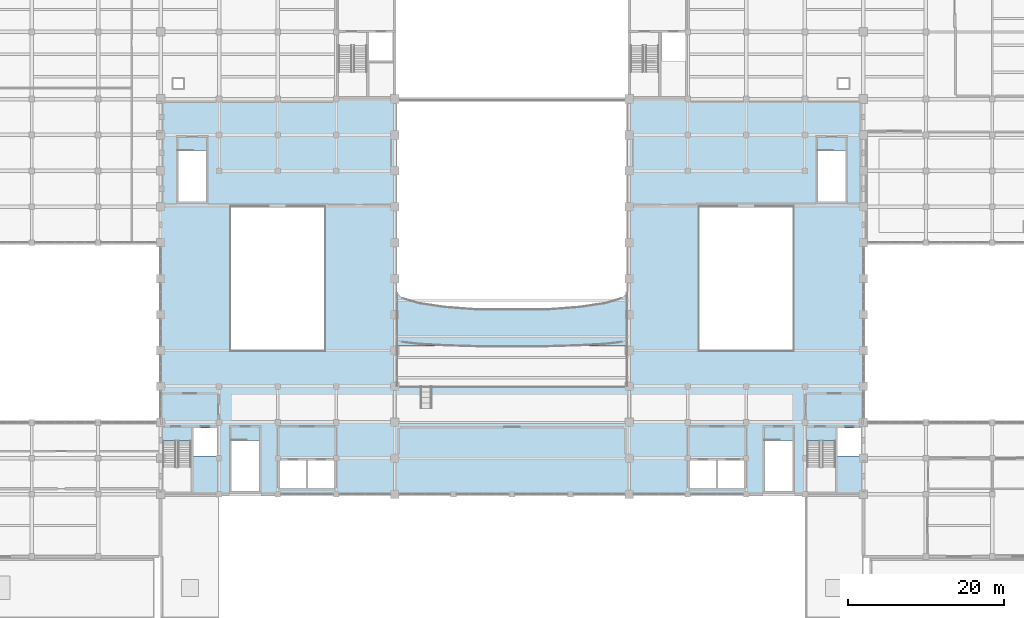
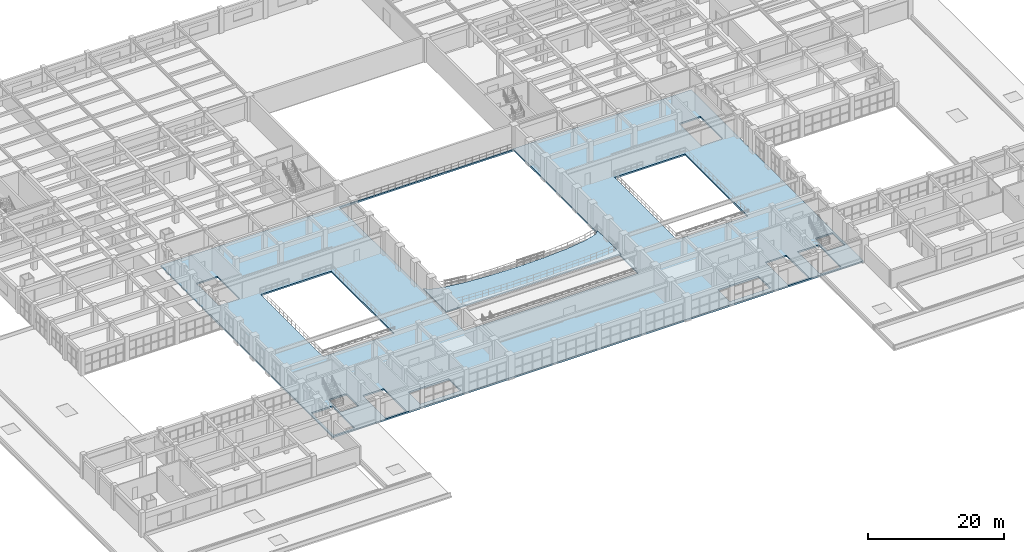
# One storey, part 57 of 90: 2 slabs.
"""IFC4 building model written with IfcOpenShell, lengths in metres."""

from ifc_helpers import new_model, si_unit, direction, frame, origin, place, context, subcontext, project, spatial, polyline, outline, extrude, material, layer, layer_set, type_object, element, save


model = new_model("IFC4")

# Units and contexts
model_context = context("Model", 3, precision=1e-05, world=origin(), true_north=direction((0.0, 1.0)))
body_context = subcontext(model_context, "Body", "Model", "MODEL_VIEW")
ifc_project = project(units=[si_unit("LENGTHUNIT", "METRE"), si_unit("AREAUNIT", "SQUARE_METRE"), si_unit("VOLUMEUNIT", "CUBIC_METRE"), si_unit("PLANEANGLEUNIT", "RADIAN"), si_unit("MASSUNIT", "GRAM", prefix="KILO")], contexts=[model_context])

# Site, building, storey
site_placement = place(None, origin())
site = spatial("IfcSite", under=ifc_project, at=site_placement, CompositionType="ELEMENT")
building_placement = place(site_placement, origin())
building = spatial("IfcBuilding", under=site, at=building_placement, Name="Muzn Square Opera House", CompositionType="ELEMENT")
storey_placement = place(building_placement, frame((0.0, 0.0, 9.800048828125)))
storey = spatial("IfcBuildingStorey", under=building, at=storey_placement, Name="L02", CompositionType="ELEMENT", Elevation=9.800048828125)

# Slabs
ifc_material = material(Name="Concrete C40/50", Category="concrete")
ifc_layer_1 = layer(ifc_material, 0.199951171875, Name="Concrete C40/50", Category="concrete")
ifc_layer_set_1 = layer_set([ifc_layer_1], Name="Concrete C40/50")
slab_type_1 = type_object("IfcSlabType", Name="Auditorium Seating Tier 200mm", PredefinedType="USERDEFINED", material=ifc_layer_set_1)
slab_1_placement = place(storey_placement, frame((0.0, 0.0, 0.159912109375)))
element("IfcSlab", 1, at=slab_1_placement, inside=storey, type_object=slab_type_1, Name="Opera Hall Upper Circle Seating Tier 2", ObjectType="SEATING TIER", PredefinedType="USERDEFINED", context=body_context, shape_type="SweptSolid", body=[
    extrude(outline(polyline([(73.2099609375, 40.949951171875), (102.7900390625, 40.949951171875), (102.7900390625, 47.800048828125), (102.066162109375, 47.1201171875), (99.96533203125, 46.5068359375), (96.693359375, 46.020263671875), (92.5703125, 45.707763671875), (88.0, 45.60009765625), (83.4296875, 45.707763671875), (79.306640625, 46.020263671875), (76.03466796875, 46.5068359375), (73.933837890625, 47.1201171875), (73.2099609375, 47.800048828125), (73.2099609375, 40.949951171875)])), origin(), (0.0, 0.0, 1.0), 0.199951171875),
])
ifc_layer_2 = layer(ifc_material, 0.280029296875, Name="Concrete C40/50", Category="concrete")
ifc_layer_set_2 = layer_set([ifc_layer_2], Name="Concrete C40/50")
slab_type_2 = type_object("IfcSlabType", Name="Floor Slab 280mm", PredefinedType="FLOOR", material=ifc_layer_set_2)
slab_2_placement = place(storey_placement, frame((0.0, 0.0, -0.280029296875)))
element("IfcSlab", 2, at=slab_2_placement, inside=storey, type_object=slab_type_2, Name="Floor Slab SLB-L02-HALL", PredefinedType="FLOOR", context=body_context, shape_type="SweptSolid", body=[
    extrude(outline(polyline([(43.0, 22.0), (133.0, 22.0), (133.0, 72.60009765625), (43.0, 72.60009765625), (43.0, 22.0)]), holes=[polyline([(73.2099609375, 35.800048828125), (102.7900390625, 35.800048828125), (102.7900390625, 72.35009765625), (73.2099609375, 72.35009765625), (73.2099609375, 35.800048828125)]), polyline([(52.0, 40.39990234375), (64.0, 40.39990234375), (64.0, 58.800048828125), (52.0, 58.800048828125), (52.0, 40.39990234375)]), polyline([(112.0, 40.39990234375), (124.0, 40.39990234375), (124.0, 58.800048828125), (112.0, 58.800048828125), (112.0, 40.39990234375)]), polyline([(43.300048828125, 22.300048828125), (46.89990234375, 22.300048828125), (46.89990234375, 28.83203125), (43.300048828125, 28.83203125), (43.300048828125, 22.300048828125)]), polyline([(47.199951171875, 26.89990234375), (50.199951171875, 26.89990234375), (50.199951171875, 30.5), (47.199951171875, 30.5), (47.199951171875, 26.89990234375)]), polyline([(125.800048828125, 22.300048828125), (129.39990234375, 22.300048828125), (129.39990234375, 28.83203125), (125.800048828125, 28.83203125), (125.800048828125, 22.300048828125)]), polyline([(129.699951171875, 26.89990234375), (132.699951171875, 26.89990234375), (132.699951171875, 30.5), (129.699951171875, 30.5), (129.699951171875, 26.89990234375)]), polyline([(58.300048828125, 22.800048828125), (65.199951171875, 22.800048828125), (65.199951171875, 26.300048828125), (58.300048828125, 26.300048828125), (58.300048828125, 22.800048828125)]), polyline([(110.800048828125, 22.800048828125), (117.699951171875, 22.800048828125), (117.699951171875, 26.300048828125), (110.800048828125, 26.300048828125), (110.800048828125, 22.800048828125)]), polyline([(45.25, 59.449951171875), (48.85009765625, 59.449951171875), (48.85009765625, 65.98193359375), (45.25, 65.98193359375), (45.25, 59.449951171875)]), polyline([(127.14990234375, 59.449951171875), (130.75, 59.449951171875), (130.75, 65.98193359375), (127.14990234375, 65.98193359375), (127.14990234375, 59.449951171875)]), polyline([(52.050048828125, 22.35009765625), (55.64990234375, 22.35009765625), (55.64990234375, 28.882080078125), (52.050048828125, 28.882080078125), (52.050048828125, 22.35009765625)]), polyline([(120.35009765625, 22.35009765625), (123.949951171875, 22.35009765625), (123.949951171875, 28.882080078125), (120.35009765625, 28.882080078125), (120.35009765625, 22.35009765625)])]), origin(), (0.0, 0.0, 1.0), 0.280029296875),
])

save(model, "model.ifc")
